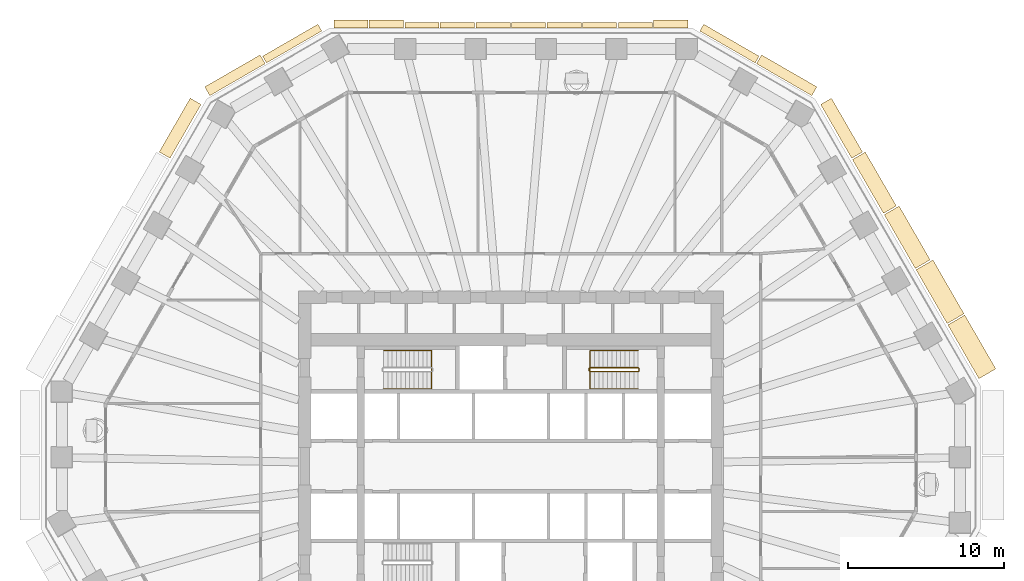
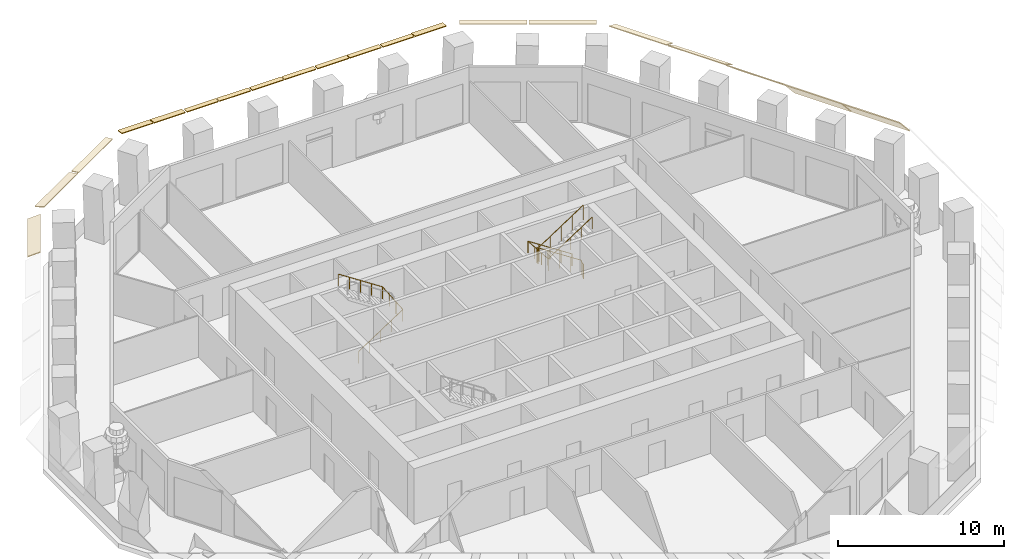
# One storey, part 11 of 13: 20 coverings, 3 railings.
"""IFC4 building model written with IfcOpenShell, lengths in metres."""

import ifcopenshell
import ifcopenshell.guid

model = None  # the IFC model being written
_history = None  # IfcOwnerHistory: only IFC2X3 demands one
_inside = {}  # id of a spatial element -> (the spatial element, [elements in it])
_under = {}  # id of a project, library or spatial element -> (it, [spatial elements below it])
_declared = {}  # id of a project -> (the project, [libraries it declares])
_typed = {}  # id of a type object -> (the type object, [elements of that type])
_made_of = {}  # id of a material, layer set ... -> (it, [elements and type objects made of it])


def new_model(schema):
    """Start an empty IFC model of exactly this schema.

    Asked for "IFC4X3", IfcOpenShell would pick the latest addendum, in which some entities
    have other attributes; the version numbers below select the first issue.
    IFC2X3 requires an IfcOwnerHistory on every rooted entity: one is made here for all.
    """
    global model, _history
    if schema == "IFC4X3":
        model = ifcopenshell.file(schema_version=(4, 3, 0, 0))
    else:
        model = ifcopenshell.file(schema=schema)
    _inside.clear()
    _under.clear()
    _declared.clear()
    _typed.clear()
    _made_of.clear()
    _history = None
    if model.schema == "IFC2X3":
        org = make("IfcOrganization", Name="unknown")
        user = make(
            "IfcPersonAndOrganization",
            ThePerson=make("IfcPerson", FamilyName="unknown"),
            TheOrganization=org,
        )
        app = make(
            "IfcApplication",
            ApplicationDeveloper=org,
            Version="unknown",
            ApplicationFullName="unknown",
            ApplicationIdentifier="unknown",
        )
        _history = make(
            "IfcOwnerHistory",
            OwningUser=user,
            OwningApplication=app,
            ChangeAction="ADDED",
            CreationDate=0,
        )
    return model


def make(cls, **values):
    """One entity of the class cls with the attributes given. An attribute that is None is left unset."""
    return model.create_entity(
        cls, **{name: value for name, value in values.items() if value is not None}
    )


def rooted(cls, **values):
    """An entity with a GlobalId (a new one), such as an element, a storey or a relation."""
    return make(cls, GlobalId=ifcopenshell.guid.new(), OwnerHistory=_history, **values)


def si_unit(unit_type, name, prefix=None):
    """IfcSIUnit, for example si_unit("LENGTHUNIT", "METRE", prefix="MILLI")."""
    return make("IfcSIUnit", UnitType=unit_type, Prefix=prefix, Name=name)


def assignment(units):
    """IfcUnitAssignment: the units of a project."""
    return None if units is None else make("IfcUnitAssignment", Units=units)


def point(xyz):
    """IfcCartesianPoint."""
    return None if xyz is None else make("IfcCartesianPoint", Coordinates=xyz)


def direction(xyz):
    """IfcDirection."""
    return None if xyz is None else make("IfcDirection", DirectionRatios=xyz)


def frame(location, z_axis=None, x_axis=None):
    """IfcAxis2Placement3D, a coordinate frame: its origin and axes. An axis left out is left unset."""
    return make(
        "IfcAxis2Placement3D",
        Location=point(location),
        Axis=direction(z_axis),
        RefDirection=direction(x_axis),
    )


def frame_2d(location, x_axis=None):
    """IfcAxis2Placement2D, a coordinate frame in the plane: its origin and x axis."""
    return make(
        "IfcAxis2Placement2D", Location=point(location), RefDirection=direction(x_axis)
    )


def origin():
    """The frame at (0, 0, 0) with its axes left unset."""
    return frame((0.0, 0.0, 0.0))


def origin_2d():
    """The frame at (0, 0) in the plane with its x axis left unset."""
    return frame_2d((0.0, 0.0))


def place(relative_to, where):
    """IfcLocalPlacement: puts the frame where relative to a parent placement (None: the world)."""
    return make(
        "IfcLocalPlacement", PlacementRelTo=relative_to, RelativePlacement=where
    )


def context(
    kind, dimensions, precision=None, world=None, true_north=None, identifier=None
):
    """IfcGeometricRepresentationContext, for example the 3D "Model" context."""
    return make(
        "IfcGeometricRepresentationContext",
        ContextIdentifier=identifier,
        ContextType=kind,
        CoordinateSpaceDimension=dimensions,
        Precision=precision,
        WorldCoordinateSystem=world,
        TrueNorth=true_north,
    )


def subcontext(parent, identifier, kind, view, scale=None):
    """IfcGeometricRepresentationSubContext, for example "Body" below "Model"."""
    return make(
        "IfcGeometricRepresentationSubContext",
        ContextIdentifier=identifier,
        ContextType=kind,
        ParentContext=parent,
        TargetScale=scale,
        TargetView=view,
    )


def project(units=None, contexts=None):
    """IfcProject with its units and contexts."""
    return rooted(
        "IfcProject",
        Name="project",
        RepresentationContexts=contexts,
        UnitsInContext=assignment(units),
    )


def spatial(cls, under=None, at=None, **own):
    """A site, building, storey or space (cls), placed at a placement, below another one or the project."""
    s = rooted(cls, ObjectPlacement=at, **own)
    if under is not None:
        _under.setdefault(under.id(), (under, []))[1].append(s)
    return s


def polyline(points):
    """IfcPolyline through the points."""
    return make("IfcPolyline", Points=[point(p) for p in points])


def profile(cls, at=None, kind="AREA", **sizes):
    """A parametric profile (cls). Its sizes go by their IFC names, for example OverallWidth=200.0."""
    return make(cls, ProfileType=kind, Position=at, **sizes)


def circle(**sizes):
    """IfcCircleProfileDef."""
    return profile("IfcCircleProfileDef", **sizes)


def outline(outer, holes=None, kind="AREA"):
    """IfcArbitraryClosedProfileDef: a profile drawn as a closed curve; with holes, ...WithVoids."""
    if holes is None:
        return make("IfcArbitraryClosedProfileDef", ProfileType=kind, OuterCurve=outer)
    return make(
        "IfcArbitraryProfileDefWithVoids",
        ProfileType=kind,
        OuterCurve=outer,
        InnerCurves=holes,
    )


def extrude(swept, where, along, depth):
    """IfcExtrudedAreaSolid: the profile swept, set in the frame where, extruded along a direction by depth."""
    return make(
        "IfcExtrudedAreaSolid",
        SweptArea=swept,
        Position=where,
        ExtrudedDirection=direction(along),
        Depth=depth,
    )


def shape(context_of_items, identifier, shape_type, items):
    """IfcShapeRepresentation: the items that make up one representation, for example the "Body"."""
    return make(
        "IfcShapeRepresentation",
        ContextOfItems=context_of_items,
        RepresentationIdentifier=identifier,
        RepresentationType=shape_type,
        Items=items,
    )


def material(Name=None, Category=None):
    """IfcMaterial."""
    return make("IfcMaterial", Name=Name, Category=Category)


def layer(
    of_material, thickness, ventilated=None, Name=None, Category=None, Priority=None
):
    """IfcMaterialLayer: one layer of a wall or slab, of a material (None: an air gap)."""
    return make(
        "IfcMaterialLayer",
        Material=of_material,
        LayerThickness=thickness,
        IsVentilated=ventilated,
        Name=Name,
        Category=Category,
        Priority=Priority,
    )


def layer_set(layers, Name=None):
    """IfcMaterialLayerSet."""
    return make("IfcMaterialLayerSet", MaterialLayers=layers, LayerSetName=Name)


def made_of(thing, what):
    """Note that an element or type object is made of a material, layer set ...; save() writes the relation."""
    if what is not None:
        _made_of.setdefault(what.id(), (what, []))[1].append(thing)
    return thing


def type_object(cls, material=None, **own):
    """A type object (cls), such as IfcWallType, which elements share."""
    return made_of(rooted(cls, **own), material)


def element(
    cls,
    number,
    at=None,
    inside=None,
    cuts=None,
    type_object=None,
    material=None,
    context=None,
    identifier="Body",
    shape_type=None,
    held_by="IfcProductDefinitionShape",
    body=None,
    shapes=None,
    **own,
):
    """One element of the class cls, such as IfcWall. Its Tag is "e" and its number.

    at: its placement. inside: the storey or other place that contains it. cuts: it is an
    opening in that element (IfcRelVoidsElement). A single representation is given by context,
    identifier, shape_type and body (its items); several are given by shapes. held_by: the class
    of the entity that holds the representations. save() writes the other relations.
    """
    e = rooted(cls, Tag="e%d" % number, ObjectPlacement=at, **own)
    if body is not None:
        shapes = [shape(context, identifier, shape_type, body)]
    if shapes is not None:
        e.Representation = make(held_by, Representations=shapes)
    if inside is not None:
        _inside.setdefault(inside.id(), (inside, []))[1].append(e)
    if cuts is not None:
        rooted(
            "IfcRelVoidsElement", RelatingBuildingElement=cuts, RelatedOpeningElement=e
        )
    if type_object is not None:
        _typed.setdefault(type_object.id(), (type_object, []))[1].append(e)
    return made_of(e, material)


def aggregate(whole, parts):
    """IfcRelAggregates: a whole, such as a stair, and the parts it consists of."""
    return rooted("IfcRelAggregates", RelatingObject=whole, RelatedObjects=parts)


def save(model, path):
    """Write the relations noted so far, then the file.

    IfcRelAggregates (storeys below a building ...), IfcRelContainedInSpatialStructure (elements
    in a storey), IfcRelDefinesByType, IfcRelAssociatesMaterial and IfcRelDeclares: one each for
    every whole, place, type object, material and project.
    """
    for whole, parts in _under.values():
        aggregate(whole, parts)
    for where, things in _inside.values():
        rooted(
            "IfcRelContainedInSpatialStructure",
            RelatedElements=things,
            RelatingStructure=where,
        )
    for kind, things in _typed.values():
        rooted("IfcRelDefinesByType", RelatedObjects=things, RelatingType=kind)
    for what, things in _made_of.values():
        rooted("IfcRelAssociatesMaterial", RelatedObjects=things, RelatingMaterial=what)
    for by, libraries in _declared.values():
        rooted("IfcRelDeclares", RelatingContext=by, RelatedDefinitions=libraries)
    model.write(path)


model = new_model("IFC4")

# Units and contexts
model_context = context("Model", 3, precision=1e-05, world=origin(), true_north=direction((0.0, 1.0)))
body_context = subcontext(model_context, "Body", "Model", "MODEL_VIEW")
ifc_project = project(units=[si_unit("LENGTHUNIT", "METRE"), si_unit("AREAUNIT", "SQUARE_METRE"), si_unit("VOLUMEUNIT", "CUBIC_METRE"), si_unit("PLANEANGLEUNIT", "RADIAN"), si_unit("MASSUNIT", "GRAM", prefix="KILO")], contexts=[model_context])

# Site, building, storey
site_placement = place(None, origin())
site = spatial("IfcSite", under=ifc_project, at=site_placement, CompositionType="ELEMENT")
building_placement = place(site_placement, origin())
building = spatial("IfcBuilding", under=site, at=building_placement, Name="Frailejon Research Tower", CompositionType="ELEMENT")
storey_placement = place(building_placement, frame((0.0, 0.0, 98.39990234375)))
storey = spatial("IfcBuildingStorey", under=building, at=storey_placement, Name="L21", CompositionType="ELEMENT", Elevation=98.39990234375)

# Coverings
ifc_material_1 = material(Name="Precast concrete C50/60", Category="concrete")
ifc_layer_1 = layer(ifc_material_1, 0.06005859375)
ifc_layer_set_1 = layer_set([ifc_layer_1], Name="Brim blade depth 1100")
covering_type_1 = type_object("IfcCoveringType", Name="Brim blade depth 1100", PredefinedType="CLADDING", material=ifc_layer_set_1)
covering_1_placement = place(storey_placement, frame((23.897705078125, 16.0908203125, 4.25), z_axis=(0.499992413042, -0.866029784072, 0.0), x_axis=(0.866029784072, 0.499992413042, 0.0)))
element("IfcCovering", 1, at=covering_1_placement, inside=storey, type_object=covering_type_1, Name="Brim blade L21", PredefinedType="CLADDING", context=body_context, shape_type="SweptSolid", body=[
    extrude(outline(polyline([(0.0, -0.078369140625), (1.10009765625, -1.001220703125), (1.10009765625, -0.923095703125), (0.0, 0.0), (0.0, -0.078369140625)])), origin(), (0.0, 0.0, 1.0), 3.972412109375),
])
ifc_material_2 = material(Name="Precast concrete C50/60", Category="concrete")
ifc_layer_2 = layer(ifc_material_2, 0.06005859375)
ifc_layer_set_2 = layer_set([ifc_layer_2], Name="Brim blade depth 1250")
covering_type_2 = type_object("IfcCoveringType", Name="Brim blade depth 1250", PredefinedType="CLADDING", material=ifc_layer_set_2)
for number, where, z_axis, x_axis, name in (
    (2, (27.969970703125, 9.037353515625, 4.25), (0.500010829996, -0.866019150993, 0.0), (0.866019150993, 0.500010829996, 0.0), "Brim blade L21"),
    (3, (25.933837890625, 12.56396484375, 4.25), (0.499992413042, -0.866029784072, 0.0), (0.866029784072, 0.499992413042, 0.0), "Brim blade L21"),
):
    element("IfcCovering", number, at=place(storey_placement, frame(where, z_axis=z_axis, x_axis=x_axis)), inside=storey, type_object=covering_type_2, Name=name, PredefinedType="CLADDING", context=body_context, shape_type="SweptSolid", body=[
        extrude(outline(polyline([(0.0, -0.0888671875), (1.25, -1.452880859375), (1.25, -1.364013671875), (0.0, 0.0), (0.0, -0.0888671875)])), origin(), (0.0, 0.0, 1.0), 3.972412109375),
    ])
ifc_material_3 = material(Name="Precast concrete C50/60", Category="concrete")
ifc_layer_3 = layer(ifc_material_3, 0.06005859375)
ifc_layer_set_3 = layer_set([ifc_layer_3], Name="Brim blade depth 350")
covering_type_3 = type_object("IfcCoveringType", Name="Brim blade depth 350", PredefinedType="CLADDING", material=ifc_layer_set_3)
for number, where, z_axis, x_axis, name in (
    (4, (6.876953125, 28.050048828125, 4.25), (1.0, 0.0, 0.0), (0.0, 1.0, 0.0), "Brim blade L21"),
    (5, (4.581298828125, 28.050048828125, 4.25), (1.0, 0.0, 0.0), (0.0, 1.0, 0.0), "Brim blade L21"),
    (6, (2.32568359375, 28.050048828125, 4.25), (1.0, 0.0, 0.0), (0.0, 1.0, 0.0), "Brim blade L21"),
):
    element("IfcCovering", number, at=place(storey_placement, frame(where, z_axis=z_axis, x_axis=x_axis)), inside=storey, type_object=covering_type_3, Name=name, PredefinedType="CLADDING", context=body_context, shape_type="SweptSolid", body=[
        extrude(outline(polyline([(0.0, -0.06005859375), (0.35009765625, -0.06005859375), (0.35009765625, 0.0), (0.0, 0.0), (0.0, -0.06005859375)])), origin(), (0.0, 0.0, 1.0), 2.19580078125),
    ])
for number, where, z_axis, x_axis, name in (
    (7, (0.030029296875, 28.050048828125, 4.25), (1.0, 0.0, 0.0), (0.0, 1.0, 0.0), "Brim blade L21"),
    (8, (-2.2255859375, 28.050048828125, 4.25), (1.0, 0.0, 0.0), (0.0, 1.0, 0.0), "Brim blade L21"),
):
    element("IfcCovering", number, at=place(storey_placement, frame(where, z_axis=z_axis, x_axis=x_axis)), inside=storey, type_object=covering_type_3, Name=name, PredefinedType="CLADDING", context=body_context, shape_type="SweptSolid", body=[
        extrude(outline(polyline([(0.0, -0.06005859375), (0.35009765625, -0.06005859375), (0.35009765625, 0.0), (0.0, 0.0), (0.0, -0.06005859375)])), origin(), (0.0, 0.0, 1.0), 2.195556640625),
    ])
for number, where, z_axis, x_axis, name in (
    (9, (-4.521240234375, 28.050048828125, 4.25), (1.0, 0.0, 0.0), (0.0, 1.0, 0.0), "Brim blade L21"),
    (10, (-6.77685546875, 28.050048828125, 4.25), (1.0, 0.0, 0.0), (0.0, 1.0, 0.0), "Brim blade L21"),
):
    element("IfcCovering", number, at=place(storey_placement, frame(where, z_axis=z_axis, x_axis=x_axis)), inside=storey, type_object=covering_type_3, Name=name, PredefinedType="CLADDING", context=body_context, shape_type="SweptSolid", body=[
        extrude(outline(polyline([(0.0, -0.06005859375), (0.35009765625, -0.06005859375), (0.35009765625, 0.0), (0.0, 0.0), (0.0, -0.06005859375)])), origin(), (0.0, 0.0, 1.0), 2.19580078125),
    ])
ifc_material_4 = material(Name="Precast concrete C50/60", Category="concrete")
ifc_layer_4 = layer(ifc_material_4, 0.06005859375)
ifc_layer_set_4 = layer_set([ifc_layer_4], Name="Brim blade depth 500")
covering_type_4 = type_object("IfcCoveringType", Name="Brim blade depth 500", PredefinedType="CLADDING", material=ifc_layer_set_4)
covering_2_placement = place(storey_placement, frame((12.096435546875, 27.843994140625, 4.25), z_axis=(0.866021344981, -0.500007029989, 0.0), x_axis=(0.500007029989, 0.866021344981, 0.0)))
element("IfcCovering", 11, at=covering_2_placement, inside=storey, type_object=covering_type_4, Name="Brim blade L21", PredefinedType="CLADDING", context=body_context, shape_type="SweptSolid", body=[
    extrude(outline(polyline([(0.0, -0.060546875), (0.5, -0.130859375), (0.5, -0.0703125), (0.0, 0.0), (0.0, -0.060546875)])), origin(), (0.0, 0.0, 1.0), 4.08740234375),
])
for number, where, z_axis, x_axis, name in (
    (12, (9.132568359375, 28.050048828125, 4.25), (1.0, 0.0, 0.0), (0.0, 1.0, 0.0), "Brim blade L21"),
    (13, (-9.072509765625, 28.050048828125, 4.25), (1.0, 0.0, 0.0), (0.0, 1.0, 0.0), "Brim blade L21"),
    (14, (-11.328125, 28.050048828125, 4.25), (1.0, 0.0, 0.0), (0.0, 1.0, 0.0), "Brim blade L21"),
):
    element("IfcCovering", number, at=place(storey_placement, frame(where, z_axis=z_axis, x_axis=x_axis)), inside=storey, type_object=covering_type_4, Name=name, PredefinedType="CLADDING", context=body_context, shape_type="SweptSolid", body=[
        extrude(outline(polyline([(0.0, -0.060546875), (0.5, -0.130859375), (0.5, -0.0703125), (0.0, 0.0), (0.0, -0.060546875)])), origin(), (0.0, 0.0, 1.0), 2.19580078125),
    ])
covering_3_placement = place(storey_placement, frame((-15.636474609375, 25.80029296875, 4.25), z_axis=(0.866021344981, 0.500007029989, 0.0), x_axis=(-0.500007029989, 0.866021344981, 0.0)))
element("IfcCovering", 15, at=covering_3_placement, inside=storey, type_object=covering_type_4, Name="Brim blade L21", PredefinedType="CLADDING", context=body_context, shape_type="SweptSolid", body=[
    extrude(outline(polyline([(0.0, -0.060546875), (0.5, -0.130859375), (0.5, -0.0703125), (0.0, 0.0), (0.0, -0.060546875)])), origin(), (0.0, 0.0, 1.0), 4.08740234375),
])
ifc_material_5 = material(Name="Precast concrete C50/60", Category="concrete")
ifc_layer_5 = layer(ifc_material_5, 0.06005859375)
ifc_layer_set_5 = layer_set([ifc_layer_5], Name="Brim blade depth 650")
covering_type_5 = type_object("IfcCoveringType", Name="Brim blade depth 650", PredefinedType="CLADDING", material=ifc_layer_set_5)
for number, where, z_axis, x_axis, name in (
    (16, (15.722900390625, 25.750244140625, 4.25), (0.866027315287, -0.499996689166, 0.0), (0.499996689166, 0.866027315287, 0.0), "Brim blade L21"),
    (17, (-19.262939453125, 23.70654296875, 4.25), (0.866027315287, 0.499996689166, 0.0), (-0.499996689166, 0.866027315287, 0.0), "Brim blade L21"),
):
    element("IfcCovering", number, at=place(storey_placement, frame(where, z_axis=z_axis, x_axis=x_axis)), inside=storey, type_object=covering_type_5, Name=name, PredefinedType="CLADDING", context=body_context, shape_type="SweptSolid", body=[
        extrude(outline(polyline([(0.0, -0.0625), (0.64990234375, -0.248779296875), (0.64990234375, -0.186279296875), (0.0, 0.0), (0.0, -0.0625)])), origin(), (0.0, 0.0, 1.0), 4.087646484375),
    ])
ifc_material_6 = material(Name="Precast concrete C50/60", Category="concrete")
ifc_layer_6 = layer(ifc_material_6, 0.06005859375)
ifc_layer_set_6 = layer_set([ifc_layer_6], Name="Brim blade depth 800")
covering_type_6 = type_object("IfcCoveringType", Name="Brim blade depth 800", PredefinedType="CLADDING", material=ifc_layer_set_6)
for number, where, z_axis, x_axis, name in (
    (18, (19.825439453125, 23.14404296875, 4.25), (0.499992413042, -0.866029784072, 0.0), (0.866029784072, 0.499992413042, 0.0), "Brim blade L21"),
    (19, (-21.8115234375, 19.7041015625, 4.25), (0.499992413042, 0.866029784072, 0.0), (-0.866029784072, 0.499992413042, 0.0), "Brim blade L21"),
):
    element("IfcCovering", number, at=place(storey_placement, frame(where, z_axis=z_axis, x_axis=x_axis)), inside=storey, type_object=covering_type_6, Name=name, PredefinedType="CLADDING", context=body_context, shape_type="SweptSolid", body=[
        extrude(outline(polyline([(0.0, -0.065673828125), (0.800048828125, -0.421875), (0.800048828125, -0.356201171875), (0.0, 0.0), (0.0, -0.065673828125)])), origin(), (0.0, 0.0, 1.0), 3.972412109375),
    ])
ifc_material_7 = material(Name="Precast concrete C50/60", Category="concrete")
ifc_layer_7 = layer(ifc_material_7, 0.06005859375)
ifc_layer_set_7 = layer_set([ifc_layer_7], Name="Brim blade depth 950")
covering_type_7 = type_object("IfcCoveringType", Name="Brim blade depth 950", PredefinedType="CLADDING", material=ifc_layer_set_7)
covering_4_placement = place(storey_placement, frame((21.861572265625, 19.617431640625, 4.25), z_axis=(0.500010829996, -0.866019150993, 0.0), x_axis=(0.866019150993, 0.500010829996, 0.0)))
element("IfcCovering", 20, at=covering_4_placement, inside=storey, type_object=covering_type_7, Name="Brim blade L21", PredefinedType="CLADDING", context=body_context, shape_type="SweptSolid", body=[
    extrude(outline(polyline([(0.0, -0.07080078125), (0.949951171875, -0.664306640625), (0.949951171875, -0.593505859375), (0.0, 0.0), (0.0, -0.07080078125)])), origin(), (0.0, 0.0, 1.0), 3.972412109375),
])

# Railings
ifc_material_8 = material(Name="Stainless steel", Category="steel")
railing_type_1 = type_object("IfcRailingType", Name="Stair guard 1100", PredefinedType="GUARDRAIL", material=ifc_material_8)
railing_1_placement = place(storey_placement, frame((8.199951171875, 6.10009765625, 0.0)))
element("IfcRailing", 21, at=railing_1_placement, inside=storey, type_object=railing_type_1, Name="L21 ST3 stair guard 1", PredefinedType="GUARDRAIL", context=body_context, shape_type="SweptSolid", body=[
    extrude(circle(Radius=0.02392578125, at=origin_2d()), frame((0.0, 0.0, 1.076171875), z_axis=(0.0, 1.0, 0.0), x_axis=(-1.0, 0.0, 0.0)), (0.0, 0.0, 1.0), 0.14990234375),
    extrude(circle(Radius=0.02392578125, at=origin_2d()), frame((0.0, 0.14990234375, 1.076171875), z_axis=(-0.254653276557, 0.254653276557, 0.932900539971), x_axis=(-0.707106781187, -0.707106781187, 0.0)), (0.0, 0.0, 1.0), 0.196533203125),
    extrude(circle(Radius=0.02392578125, at=origin_2d()), frame((-0.050048828125, 0.199951171875, 1.25927734375), z_axis=(-0.836582707638, 0.0, 0.547840645882), x_axis=(0.0, -1.0, 0.0)), (0.0, 0.0, 1.0), 3.681396484375),
    extrude(circle(Radius=0.02392578125, at=origin_2d()), frame((-3.1298828125, 0.199951171875, 3.2763671875), z_axis=(-0.707106781187, -0.707106781187, 0.0), x_axis=(0.707106781187, -0.707106781187, 0.0)), (0.0, 0.0, 1.0), 0.07080078125),
    extrude(circle(Radius=0.02392578125, at=origin_2d()), frame((-3.179931640625, 0.14990234375, 3.2763671875), z_axis=(0.0, -1.0, 0.0), x_axis=(1.0, 0.0, 0.0)), (0.0, 0.0, 1.0), 0.14990234375),
    extrude(circle(Radius=0.02392578125, at=origin_2d()), frame((-3.179931640625, 0.0, 3.2763671875), z_axis=(0.254653276557, -0.254653276557, 0.932900539971), x_axis=(0.707106781187, 0.707106781187, 0.0)), (0.0, 0.0, 1.0), 0.196533203125),
    extrude(circle(Radius=0.02392578125, at=origin_2d()), frame((-3.1298828125, -0.050048828125, 3.45947265625), z_axis=(0.836613101238, 0.0, 0.547794230379), x_axis=(0.0, 1.0, 0.0)), (0.0, 0.0, 1.0), 3.681396484375),
    extrude(circle(Radius=0.02099609375, at=origin_2d()), origin(), (0.0, 0.0, 1.0), 1.052001953125),
    extrude(circle(Radius=0.02099609375, at=origin_2d()), frame((0.0, 0.14990234375, 0.0)), (0.0, 0.0, 1.0), 1.052001953125),
    extrude(circle(Radius=0.02099609375, at=origin_2d()), frame((-0.050048828125, 0.199951171875, 0.183349609375)), (0.0, 0.0, 1.0), 1.052001953125),
    extrude(circle(Radius=0.02099609375, at=origin_2d()), frame((-0.820068359375, 0.199951171875, 0.6875)), (0.0, 0.0, 1.0), 1.052001953125),
    extrude(circle(Radius=0.02099609375, at=origin_2d()), frame((-1.58984375, 0.199951171875, 1.19189453125)), (0.0, 0.0, 1.0), 1.052001953125),
    extrude(circle(Radius=0.02099609375, at=origin_2d()), frame((-2.35986328125, 0.199951171875, 1.696044921875)), (0.0, 0.0, 1.0), 1.052001953125),
    extrude(circle(Radius=0.02099609375, at=origin_2d()), frame((-3.1298828125, 0.199951171875, 2.2001953125)), (0.0, 0.0, 1.0), 1.052001953125),
    extrude(circle(Radius=0.02099609375, at=origin_2d()), frame((-3.179931640625, 0.14990234375, 2.2001953125)), (0.0, 0.0, 1.0), 1.052001953125),
    extrude(circle(Radius=0.02099609375, at=origin_2d()), frame((-3.179931640625, 0.0, 2.2001953125)), (0.0, 0.0, 1.0), 1.052001953125),
    extrude(circle(Radius=0.02099609375, at=origin_2d()), frame((-3.1298828125, -0.050048828125, 2.383544921875)), (0.0, 0.0, 1.0), 1.052001953125),
    extrude(circle(Radius=0.02099609375, at=origin_2d()), frame((-2.35986328125, -0.050048828125, 2.8876953125)), (0.0, 0.0, 1.0), 1.052001953125),
    extrude(circle(Radius=0.02099609375, at=origin_2d()), frame((-1.58984375, -0.050048828125, 3.391845703125)), (0.0, 0.0, 1.0), 1.052001953125),
    extrude(circle(Radius=0.02099609375, at=origin_2d()), frame((-0.820068359375, -0.050048828125, 3.89599609375)), (0.0, 0.0, 1.0), 1.052001953125),
    extrude(circle(Radius=0.02099609375, at=origin_2d()), frame((-0.050048828125, -0.050048828125, 4.400146484375)), (0.0, 0.0, 1.0), 1.052001953125),
])
ifc_material_9 = material(Name="Stainless steel", Category="steel")
railing_type_2 = type_object("IfcRailingType", Name="Stair handrail 900", PredefinedType="HANDRAIL", material=ifc_material_9)
railing_2_placement = place(storey_placement, frame((-8.14990234375, 4.949951171875, 0.183349609375)))
element("IfcRailing", 22, at=railing_2_placement, inside=storey, type_object=railing_type_2, Name="L21 ST1 stair handrail 1", PredefinedType="HANDRAIL", context=body_context, shape_type="SweptSolid", body=[
    extrude(circle(Radius=0.02392578125, at=origin_2d()), frame((0.0, 0.0, 0.8759765625), z_axis=(0.836582707638, 0.0, 0.547840645882), x_axis=(0.0, 1.0, 0.0)), (0.0, 0.0, 1.0), 3.681396484375),
    extrude(circle(Radius=0.02392578125, at=origin_2d()), frame((3.079833984375, 0.0, 2.892578125), z_axis=(0.0, 0.99721134034, 0.074629368868), x_axis=(-1.0, 0.0, 0.0)), (0.0, 0.0, 1.0), 2.456787109375),
    extrude(circle(Radius=0.02392578125, at=origin_2d()), frame((3.079833984375, 2.449951171875, 3.076171875), z_axis=(-0.836613101238, 0.0, 0.547794230379), x_axis=(0.0, -1.0, 0.0)), (0.0, 0.0, 1.0), 3.681396484375),
    extrude(circle(Radius=0.02099609375, at=origin_2d()), origin(), (0.0, 0.0, 1.0), 0.851806640625),
    extrude(circle(Radius=0.02099609375, at=origin_2d()), frame((0.77001953125, 0.0, 0.504150390625)), (0.0, 0.0, 1.0), 0.851806640625),
    extrude(circle(Radius=0.02099609375, at=origin_2d()), frame((1.5400390625, 0.0, 1.00830078125)), (0.0, 0.0, 1.0), 0.851806640625),
    extrude(circle(Radius=0.02099609375, at=origin_2d()), frame((2.309814453125, 0.0, 1.5126953125)), (0.0, 0.0, 1.0), 0.851806640625),
    extrude(circle(Radius=0.02099609375, at=origin_2d()), frame((3.079833984375, 0.0, 2.016845703125)), (0.0, 0.0, 1.0), 0.851806640625),
    extrude(circle(Radius=0.02099609375, at=origin_2d()), frame((3.079833984375, 0.816650390625, 2.077880859375)), (0.0, 0.0, 1.0), 0.851806640625),
    extrude(circle(Radius=0.02099609375, at=origin_2d()), frame((3.079833984375, 1.63330078125, 2.13916015625)), (0.0, 0.0, 1.0), 0.851806640625),
    extrude(circle(Radius=0.02099609375, at=origin_2d()), frame((3.079833984375, 2.449951171875, 2.2001953125)), (0.0, 0.0, 1.0), 0.851806640625),
    extrude(circle(Radius=0.02099609375, at=origin_2d()), frame((2.309814453125, 2.449951171875, 2.704345703125)), (0.0, 0.0, 1.0), 0.851806640625),
    extrude(circle(Radius=0.02099609375, at=origin_2d()), frame((1.5400390625, 2.449951171875, 3.20849609375)), (0.0, 0.0, 1.0), 0.851806640625),
    extrude(circle(Radius=0.02099609375, at=origin_2d()), frame((0.77001953125, 2.449951171875, 3.712646484375)), (0.0, 0.0, 1.0), 0.851806640625),
    extrude(circle(Radius=0.02099609375, at=origin_2d()), frame((0.0, 2.449951171875, 4.216796875)), (0.0, 0.0, 1.0), 0.851806640625),
])
railing_3_placement = place(storey_placement, frame((8.14990234375, 7.39990234375, 0.183349609375)))
element("IfcRailing", 23, at=railing_3_placement, inside=storey, type_object=railing_type_2, Name="L21 ST3 stair handrail 1", PredefinedType="HANDRAIL", context=body_context, shape_type="SweptSolid", body=[
    extrude(circle(Radius=0.02392578125, at=origin_2d()), frame((0.0, 0.0, 0.8759765625), z_axis=(-0.836582707638, 0.0, 0.547840645882), x_axis=(0.0, -1.0, 0.0)), (0.0, 0.0, 1.0), 3.681396484375),
    extrude(circle(Radius=0.02392578125, at=origin_2d()), frame((-3.079833984375, 0.0, 2.892578125), z_axis=(0.0, -0.99721134034, 0.074629368868), x_axis=(1.0, 0.0, 0.0)), (0.0, 0.0, 1.0), 2.456787109375),
    extrude(circle(Radius=0.02392578125, at=origin_2d()), frame((-3.079833984375, -2.449951171875, 3.076171875), z_axis=(0.836613101238, 0.0, 0.547794230379), x_axis=(0.0, 1.0, 0.0)), (0.0, 0.0, 1.0), 3.681396484375),
    extrude(circle(Radius=0.02099609375, at=origin_2d()), origin(), (0.0, 0.0, 1.0), 0.851806640625),
    extrude(circle(Radius=0.02099609375, at=origin_2d()), frame((-0.77001953125, 0.0, 0.504150390625)), (0.0, 0.0, 1.0), 0.851806640625),
    extrude(circle(Radius=0.02099609375, at=origin_2d()), frame((-1.5400390625, 0.0, 1.00830078125)), (0.0, 0.0, 1.0), 0.851806640625),
    extrude(circle(Radius=0.02099609375, at=origin_2d()), frame((-2.309814453125, 0.0, 1.5126953125)), (0.0, 0.0, 1.0), 0.851806640625),
    extrude(circle(Radius=0.02099609375, at=origin_2d()), frame((-3.079833984375, 0.0, 2.016845703125)), (0.0, 0.0, 1.0), 0.851806640625),
    extrude(circle(Radius=0.02099609375, at=origin_2d()), frame((-3.079833984375, -0.816650390625, 2.077880859375)), (0.0, 0.0, 1.0), 0.851806640625),
    extrude(circle(Radius=0.02099609375, at=origin_2d()), frame((-3.079833984375, -1.63330078125, 2.13916015625)), (0.0, 0.0, 1.0), 0.851806640625),
    extrude(circle(Radius=0.02099609375, at=origin_2d()), frame((-3.079833984375, -2.449951171875, 2.2001953125)), (0.0, 0.0, 1.0), 0.851806640625),
    extrude(circle(Radius=0.02099609375, at=origin_2d()), frame((-2.309814453125, -2.449951171875, 2.704345703125)), (0.0, 0.0, 1.0), 0.851806640625),
    extrude(circle(Radius=0.02099609375, at=origin_2d()), frame((-1.5400390625, -2.449951171875, 3.20849609375)), (0.0, 0.0, 1.0), 0.851806640625),
    extrude(circle(Radius=0.02099609375, at=origin_2d()), frame((-0.77001953125, -2.449951171875, 3.712646484375)), (0.0, 0.0, 1.0), 0.851806640625),
    extrude(circle(Radius=0.02099609375, at=origin_2d()), frame((0.0, -2.449951171875, 4.216796875)), (0.0, 0.0, 1.0), 0.851806640625),
])

save(model, "model.ifc")
